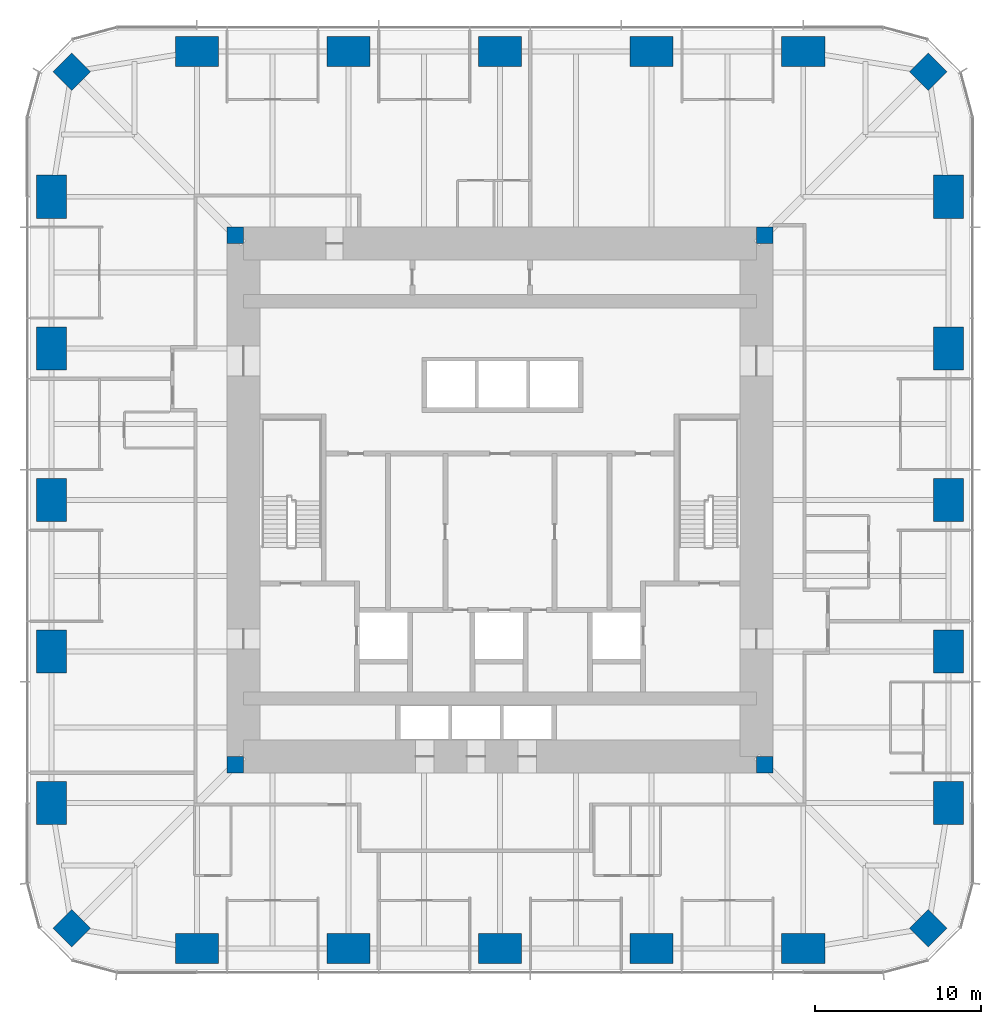
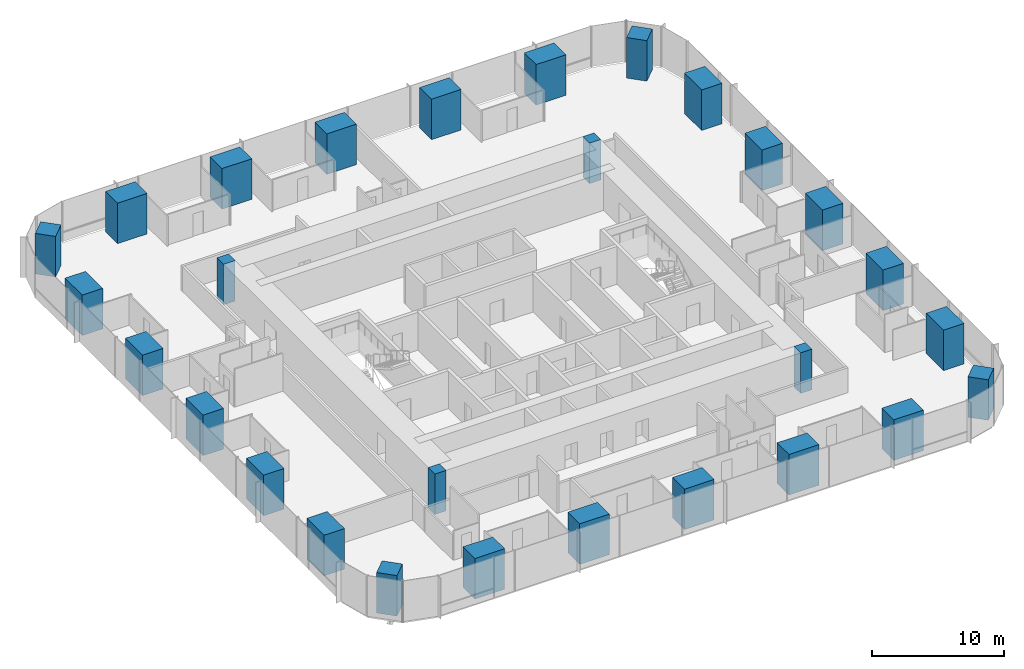
# One storey, part 1 of 12: 28 columns.
"""IFC4 building model written with IfcOpenShell, lengths in metres."""

from ifc_helpers import new_model, si_unit, direction, frame, origin, origin_2d, place, context, subcontext, project, spatial, rectangle, extrude, material, material_profile, profile_set, type_object, element, save


model = new_model("IFC4")

# Units and contexts
model_context = context("Model", 3, precision=1e-05, world=origin(), true_north=direction((0.0, 1.0)))
body_context = subcontext(model_context, "Body", "Model", "MODEL_VIEW")
ifc_project = project(units=[si_unit("LENGTHUNIT", "METRE"), si_unit("AREAUNIT", "SQUARE_METRE"), si_unit("VOLUMEUNIT", "CUBIC_METRE"), si_unit("PLANEANGLEUNIT", "RADIAN"), si_unit("MASSUNIT", "GRAM", prefix="KILO")], contexts=[model_context])

# Site, building, storey
site_placement = place(None, origin())
site = spatial("IfcSite", under=ifc_project, at=site_placement, CompositionType="ELEMENT")
building_placement = place(site_placement, origin())
building = spatial("IfcBuilding", under=site, at=building_placement, Name="Khuree Lantern Residences", CompositionType="ELEMENT")
storey_placement = place(building_placement, frame((0.0, 0.0, 167.25)))
storey = spatial("IfcBuildingStorey", under=building, at=storey_placement, Name="L42", CompositionType="ELEMENT", Elevation=167.25)

# Columns
ifc_material = material(Name="Concrete C70/85", Category="concrete")
ifc_material_profile_1 = material_profile(ifc_material, rectangle(XDim=1.60009765625, YDim=1.60009765625, at=origin_2d()), Name="RC 1600X1600")
ifc_profile_set_1 = profile_set([ifc_material_profile_1], Name="Concrete C70/85")
column_type_1 = type_object("IfcColumnType", Name="CC1600A PERIMETER CORNER COLUMN RC 1600X1600", PredefinedType="COLUMN", material=ifc_profile_set_1)
for number, where, z_axis, x_axis, name in (
    (1, (25.869873046875, 25.869873046875, 0.0), (0.0, 0.0, 1.0), (0.707106781187, -0.707106781187, 0.0), "Perimeter column NE"),
    (2, (25.869873046875, -25.869873046875, 0.0), (0.0, 0.0, 1.0), (0.707106781187, 0.707106781187, 0.0), "Perimeter column SE"),
    (3, (-25.869873046875, -25.869873046875, 0.0), (0.0, 0.0, 1.0), (0.707106781187, -0.707106781187, 0.0), "Perimeter column SW"),
    (4, (-25.869873046875, 25.869873046875, 0.0), (0.0, 0.0, 1.0), (0.707106781187, 0.707106781187, 0.0), "Perimeter column NW"),
):
    element("IfcColumn", number, at=place(storey_placement, frame(where, z_axis=z_axis, x_axis=x_axis)), inside=storey, type_object=column_type_1, Name=name, PredefinedType="COLUMN", context=body_context, shape_type="SweptSolid", body=[
        extrude(rectangle(XDim=1.60009765625, YDim=1.60009765625, at=origin_2d()), origin(), (0.0, 0.0, 1.0), 3.75),
    ])
ifc_material_profile_2 = material_profile(ifc_material, rectangle(XDim=1.0, YDim=1.0, at=origin_2d()), Name="RC 1000X1000")
ifc_profile_set_2 = profile_set([ifc_material_profile_2], Name="Concrete C70/85")
column_type_2 = type_object("IfcColumnType", Name="CP1000-C70 CORE CORNER PIER C70 RC 1000X1000", PredefinedType="COLUMN", material=ifc_profile_set_2)
for number, where, z_axis, x_axis, name in (
    (5, (16.0, 16.0, -0.25), (0.0, 0.0, 1.0), (1.0, 0.0, 0.0), "Core corner pier NE"),
    (6, (-16.0, 16.0, -0.25), (0.0, 0.0, 1.0), (1.0, 0.0, 0.0), "Core corner pier NW"),
    (7, (-16.0, -16.0, -0.25), (0.0, 0.0, 1.0), (1.0, 0.0, 0.0), "Core corner pier SW"),
    (8, (16.0, -16.0, -0.25), (0.0, 0.0, 1.0), (1.0, 0.0, 0.0), "Core corner pier SE"),
):
    element("IfcColumn", number, at=place(storey_placement, frame(where, z_axis=z_axis, x_axis=x_axis)), inside=storey, type_object=column_type_2, Name=name, PredefinedType="COLUMN", context=body_context, shape_type="SweptSolid", body=[
        extrude(rectangle(XDim=1.0, YDim=1.0, at=origin_2d()), origin(), (0.0, 0.0, 1.0), 3.75),
    ])
ifc_material_profile_3 = material_profile(ifc_material, rectangle(XDim=2.60009765625, YDim=1.800048828125, at=origin_2d()), Name="RC 2600X1800")
ifc_profile_set_3 = profile_set([ifc_material_profile_3], Name="Concrete C70/85")
column_type_3 = type_object("IfcColumnType", Name="PC3 PERIMETER COLUMN RC 2600X1800", PredefinedType="COLUMN", material=ifc_profile_set_3)
for number, where, z_axis, x_axis, name in (
    (9, (-18.320068359375, 27.10009765625, 0.0), (0.0, 0.0, 1.0), (1.0, 0.0, 0.0), "Perimeter column N1"),
    (10, (-9.159912109375, 27.10009765625, 0.0), (0.0, 0.0, 1.0), (1.0, 0.0, 0.0), "Perimeter column N2"),
    (11, (0.0, 27.10009765625, 0.0), (0.0, 0.0, 1.0), (1.0, 0.0, 0.0), "Perimeter column N3"),
    (12, (9.159912109375, 27.10009765625, 0.0), (0.0, 0.0, 1.0), (1.0, 0.0, 0.0), "Perimeter column N4"),
    (13, (18.320068359375, 27.10009765625, 0.0), (0.0, 0.0, 1.0), (1.0, 0.0, 0.0), "Perimeter column N5"),
    (14, (27.10009765625, 18.320068359375, 0.0), (0.0, 0.0, 1.0), (0.0, 1.0, 0.0), "Perimeter column E1"),
    (15, (27.10009765625, 9.159912109375, 0.0), (0.0, 0.0, 1.0), (0.0, 1.0, 0.0), "Perimeter column E2"),
    (16, (27.10009765625, 0.0, 0.0), (0.0, 0.0, 1.0), (0.0, 1.0, 0.0), "Perimeter column E3"),
    (17, (27.10009765625, -9.159912109375, 0.0), (0.0, 0.0, 1.0), (0.0, 1.0, 0.0), "Perimeter column E4"),
    (18, (27.10009765625, -18.320068359375, 0.0), (0.0, 0.0, 1.0), (0.0, 1.0, 0.0), "Perimeter column E5"),
    (19, (18.320068359375, -27.10009765625, 0.0), (0.0, 0.0, 1.0), (1.0, 0.0, 0.0), "Perimeter column S1"),
    (20, (9.159912109375, -27.10009765625, 0.0), (0.0, 0.0, 1.0), (1.0, 0.0, 0.0), "Perimeter column S2"),
    (21, (0.0, -27.10009765625, 0.0), (0.0, 0.0, 1.0), (1.0, 0.0, 0.0), "Perimeter column S3"),
    (22, (-9.159912109375, -27.10009765625, 0.0), (0.0, 0.0, 1.0), (1.0, 0.0, 0.0), "Perimeter column S4"),
    (23, (-18.320068359375, -27.10009765625, 0.0), (0.0, 0.0, 1.0), (1.0, 0.0, 0.0), "Perimeter column S5"),
    (24, (-27.10009765625, -18.320068359375, 0.0), (0.0, 0.0, 1.0), (0.0, 1.0, 0.0), "Perimeter column W1"),
    (25, (-27.10009765625, -9.159912109375, 0.0), (0.0, 0.0, 1.0), (0.0, 1.0, 0.0), "Perimeter column W2"),
    (26, (-27.10009765625, 0.0, 0.0), (0.0, 0.0, 1.0), (0.0, 1.0, 0.0), "Perimeter column W3"),
    (27, (-27.10009765625, 9.159912109375, 0.0), (0.0, 0.0, 1.0), (0.0, 1.0, 0.0), "Perimeter column W4"),
    (28, (-27.10009765625, 18.320068359375, 0.0), (0.0, 0.0, 1.0), (0.0, 1.0, 0.0), "Perimeter column W5"),
):
    element("IfcColumn", number, at=place(storey_placement, frame(where, z_axis=z_axis, x_axis=x_axis)), inside=storey, type_object=column_type_3, Name=name, PredefinedType="COLUMN", context=body_context, shape_type="SweptSolid", body=[
        extrude(rectangle(XDim=2.60009765625, YDim=1.800048828125, at=origin_2d()), origin(), (0.0, 0.0, 1.0), 3.75),
    ])

save(model, "model.ifc")
